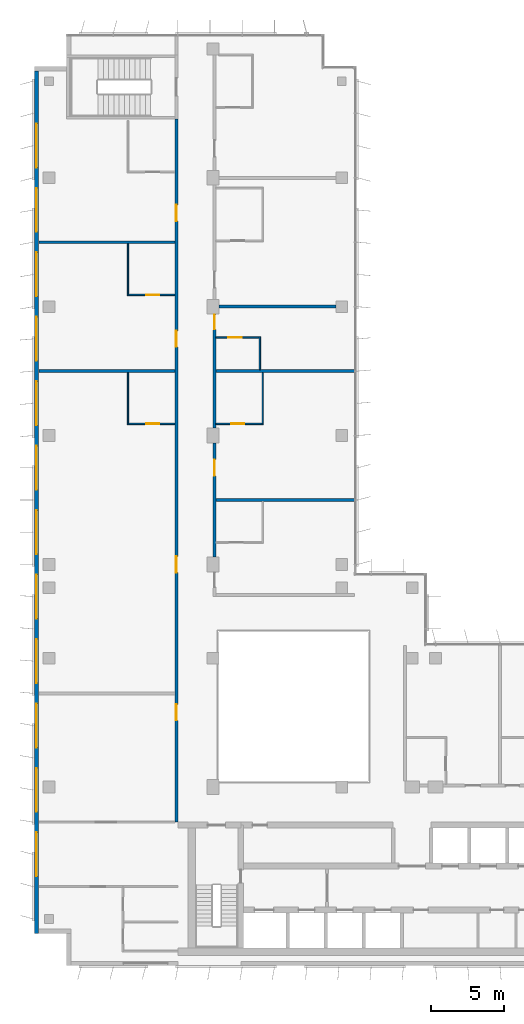
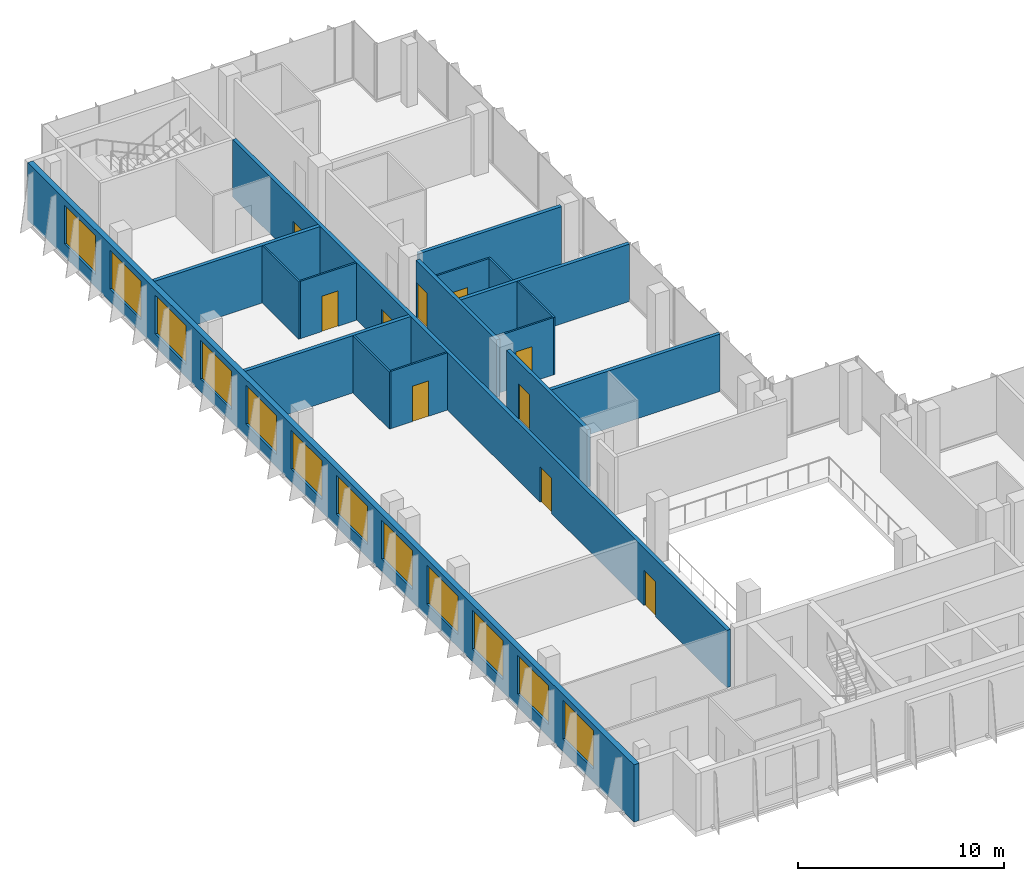
# One storey, part 11 of 15: 17 walls, 12 windows, 10 doors, 22 openings.
"""IFC4 building model written with IfcOpenShell, lengths in metres."""

from ifc_helpers import new_model, si_unit, direction, frame, frame_2d, origin, place, context, subcontext, project, spatial, rectangle, extrude, material, layer, layer_set, type_object, element, fill, save


model = new_model("IFC4")

# Units and contexts
model_context = context("Model", 3, precision=1e-05, world=origin(), true_north=direction((0.0, 1.0)))
body_context = subcontext(model_context, "Body", "Model", "MODEL_VIEW")
ifc_project = project(units=[si_unit("LENGTHUNIT", "METRE"), si_unit("AREAUNIT", "SQUARE_METRE"), si_unit("VOLUMEUNIT", "CUBIC_METRE"), si_unit("PLANEANGLEUNIT", "RADIAN"), si_unit("MASSUNIT", "GRAM", prefix="KILO")], contexts=[model_context])

# Site, building, storey
site_placement = place(None, origin())
site = spatial("IfcSite", under=ifc_project, at=site_placement, CompositionType="ELEMENT")
building_placement = place(site_placement, origin())
building = spatial("IfcBuilding", under=site, at=building_placement, Name="Kemantara Hotel Tower", CompositionType="ELEMENT")
storey_placement = place(building_placement, frame((0.0, 0.0, 298.10009765625)))
storey = spatial("IfcBuildingStorey", under=building, at=storey_placement, Name="L75", CompositionType="ELEMENT", Elevation=298.10009765625)

# Wall, openings, windows
ifc_material_1 = material(Name="Bronze anodised aluminium cladding on insulated steel stud wall", Category="steel")
ifc_layer_1 = layer(ifc_material_1, 0.300048828125)
ifc_layer_set_1 = layer_set([ifc_layer_1], Name="Bronze anodised aluminium cladding on insulated steel stud wall")
wall_type_1 = type_object("IfcWallType", Name="BRONZE METAL-CLAD EXTERNAL WALL 300", PredefinedType="STANDARD", material=ifc_layer_set_1)
wall_1_placement = place(storey_placement, frame((0.14990234375, 61.10009765625, 0.0), z_axis=(0.0, 0.0, 1.0), x_axis=(0.0, -1.0, 0.0)))
wall_1 = element("IfcWall", 1, at=wall_1_placement, inside=storey, type_object=wall_type_1, Name="EXTERNAL WALL L75 T4-R05", PredefinedType="STANDARD", context=body_context, shape_type="SweptSolid", body=[
    extrude(rectangle(XDim=58.900146484375, YDim=0.300048828125, at=frame_2d((29.4501953125, 0.0))), origin(), (0.0, 0.0, 1.0), 3.39990234375),
])
opening_1_placement = place(wall_1_placement, frame((3.60009765625, 0.0, 0.75)))
opening_1 = element("IfcOpeningElement", 2, at=opening_1_placement, cuts=wall_1, Name="Opening W1", PredefinedType="OPENING", context=body_context, shape_type="SweptSolid", body=[
    extrude(rectangle(XDim=3.0, YDim=2.300048828125, at=frame_2d((1.5, 1.14990234375))), frame((0.0, 0.159912109375, 0.0), z_axis=(0.0, -1.0, 0.0), x_axis=(1.0, 0.0, 0.0)), (0.0, 0.0, 1.0), 0.320068359375),
])
opening_2_placement = place(wall_1_placement, frame((8.0, 0.0, 0.75)))
opening_2 = element("IfcOpeningElement", 3, at=opening_2_placement, cuts=wall_1, Name="Opening W1", PredefinedType="OPENING", context=body_context, shape_type="SweptSolid", body=[
    extrude(rectangle(XDim=3.0, YDim=2.300048828125, at=frame_2d((1.5, 1.14990234375))), frame((0.0, 0.159912109375, 0.0), z_axis=(0.0, -1.0, 0.0), x_axis=(1.0, 0.0, 0.0)), (0.0, 0.0, 1.0), 0.320068359375),
])
opening_3_placement = place(wall_1_placement, frame((12.39990234375, 0.0, 0.75)))
opening_3 = element("IfcOpeningElement", 4, at=opening_3_placement, cuts=wall_1, Name="Opening W1", PredefinedType="OPENING", context=body_context, shape_type="SweptSolid", body=[
    extrude(rectangle(XDim=3.0, YDim=2.300048828125, at=frame_2d((1.5, 1.14990234375))), frame((0.0, 0.159912109375, 0.0), z_axis=(0.0, -1.0, 0.0), x_axis=(1.0, 0.0, 0.0)), (0.0, 0.0, 1.0), 0.320068359375),
])
opening_4_placement = place(wall_1_placement, frame((16.800048828125, 0.0, 0.75)))
opening_4 = element("IfcOpeningElement", 5, at=opening_4_placement, cuts=wall_1, Name="Opening W1", PredefinedType="OPENING", context=body_context, shape_type="SweptSolid", body=[
    extrude(rectangle(XDim=3.0, YDim=2.300048828125, at=frame_2d((1.5, 1.14990234375))), frame((0.0, 0.159912109375, 0.0), z_axis=(0.0, -1.0, 0.0), x_axis=(1.0, 0.0, 0.0)), (0.0, 0.0, 1.0), 0.320068359375),
])
opening_5_placement = place(wall_1_placement, frame((21.199951171875, 0.0, 0.75)))
opening_5 = element("IfcOpeningElement", 6, at=opening_5_placement, cuts=wall_1, Name="Opening W1", PredefinedType="OPENING", context=body_context, shape_type="SweptSolid", body=[
    extrude(rectangle(XDim=3.0, YDim=2.300048828125, at=frame_2d((1.5, 1.14990234375))), frame((0.0, 0.159912109375, 0.0), z_axis=(0.0, -1.0, 0.0), x_axis=(1.0, 0.0, 0.0)), (0.0, 0.0, 1.0), 0.320068359375),
])
opening_6_placement = place(wall_1_placement, frame((25.60009765625, 0.0, 0.75)))
opening_6 = element("IfcOpeningElement", 7, at=opening_6_placement, cuts=wall_1, Name="Opening W1", PredefinedType="OPENING", context=body_context, shape_type="SweptSolid", body=[
    extrude(rectangle(XDim=3.0, YDim=2.300048828125, at=frame_2d((1.5, 1.14990234375))), frame((0.0, 0.159912109375, 0.0), z_axis=(0.0, -1.0, 0.0), x_axis=(1.0, 0.0, 0.0)), (0.0, 0.0, 1.0), 0.320068359375),
])
opening_7_placement = place(wall_1_placement, frame((30.0, 0.0, 0.75)))
opening_7 = element("IfcOpeningElement", 8, at=opening_7_placement, cuts=wall_1, Name="Opening W1", PredefinedType="OPENING", context=body_context, shape_type="SweptSolid", body=[
    extrude(rectangle(XDim=3.0, YDim=2.300048828125, at=frame_2d((1.5, 1.14990234375))), frame((0.0, 0.159912109375, 0.0), z_axis=(0.0, -1.0, 0.0), x_axis=(1.0, 0.0, 0.0)), (0.0, 0.0, 1.0), 0.320068359375),
])
opening_8_placement = place(wall_1_placement, frame((34.39990234375, 0.0, 0.75)))
opening_8 = element("IfcOpeningElement", 9, at=opening_8_placement, cuts=wall_1, Name="Opening W1", PredefinedType="OPENING", context=body_context, shape_type="SweptSolid", body=[
    extrude(rectangle(XDim=3.0, YDim=2.300048828125, at=frame_2d((1.5, 1.14990234375))), frame((0.0, 0.159912109375, 0.0), z_axis=(0.0, -1.0, 0.0), x_axis=(1.0, 0.0, 0.0)), (0.0, 0.0, 1.0), 0.320068359375),
])
opening_9_placement = place(wall_1_placement, frame((38.800048828125, 0.0, 0.75)))
opening_9 = element("IfcOpeningElement", 10, at=opening_9_placement, cuts=wall_1, Name="Opening W1", PredefinedType="OPENING", context=body_context, shape_type="SweptSolid", body=[
    extrude(rectangle(XDim=3.0, YDim=2.300048828125, at=frame_2d((1.5, 1.14990234375))), frame((0.0, 0.159912109375, 0.0), z_axis=(0.0, -1.0, 0.0), x_axis=(1.0, 0.0, 0.0)), (0.0, 0.0, 1.0), 0.320068359375),
])
opening_10_placement = place(wall_1_placement, frame((43.199951171875, 0.0, 0.75)))
opening_10 = element("IfcOpeningElement", 11, at=opening_10_placement, cuts=wall_1, Name="Opening W1", PredefinedType="OPENING", context=body_context, shape_type="SweptSolid", body=[
    extrude(rectangle(XDim=3.0, YDim=2.300048828125, at=frame_2d((1.5, 1.14990234375))), frame((0.0, 0.159912109375, 0.0), z_axis=(0.0, -1.0, 0.0), x_axis=(1.0, 0.0, 0.0)), (0.0, 0.0, 1.0), 0.320068359375),
])
opening_11_placement = place(wall_1_placement, frame((47.60009765625, 0.0, 0.75)))
opening_11 = element("IfcOpeningElement", 12, at=opening_11_placement, cuts=wall_1, Name="Opening W1", PredefinedType="OPENING", context=body_context, shape_type="SweptSolid", body=[
    extrude(rectangle(XDim=3.0, YDim=2.300048828125, at=frame_2d((1.5, 1.14990234375))), frame((0.0, 0.159912109375, 0.0), z_axis=(0.0, -1.0, 0.0), x_axis=(1.0, 0.0, 0.0)), (0.0, 0.0, 1.0), 0.320068359375),
])
opening_12_placement = place(wall_1_placement, frame((52.0, 0.0, 0.75)))
opening_12 = element("IfcOpeningElement", 13, at=opening_12_placement, cuts=wall_1, Name="Opening W1", PredefinedType="OPENING", context=body_context, shape_type="SweptSolid", body=[
    extrude(rectangle(XDim=3.0, YDim=2.300048828125, at=frame_2d((1.5, 1.14990234375))), frame((0.0, 0.159912109375, 0.0), z_axis=(0.0, -1.0, 0.0), x_axis=(1.0, 0.0, 0.0)), (0.0, 0.0, 1.0), 0.320068359375),
])
ifc_material_2 = material(Name="Low-E tinted double insulated glass in bronze anodised aluminium frame", Category="aluminium")
window_type = type_object("IfcWindowType", Name="CHICAGO WINDOW, TRIPLE PANEL 3000x2300", PartitioningType="TRIPLE_PANEL_VERTICAL", PredefinedType="WINDOW", material=ifc_material_2)
window_1_placement = place(opening_1_placement, origin())
window_1 = element("IfcWindow", 14, at=window_1_placement, inside=storey, type_object=window_type, Name="CHICAGO WINDOW L75 T4-R05-54", OverallHeight=2.300048828125, OverallWidth=3.0, PartitioningType="SINGLE_PANEL", PredefinedType="WINDOW", context=body_context, shape_type="SweptSolid", body=[
    extrude(rectangle(XDim=3.0, YDim=2.300048828125, at=frame_2d((1.5, 1.14990234375))), frame((0.0, 0.030029296875, 0.0), z_axis=(0.0, -1.0, 0.0), x_axis=(1.0, 0.0, 0.0)), (0.0, 0.0, 1.0), 0.06005859375),
])
fill(opening_1, window_1)
window_2_placement = place(opening_2_placement, origin())
window_2 = element("IfcWindow", 15, at=window_2_placement, inside=storey, type_object=window_type, Name="CHICAGO WINDOW L75 T4-R05-98", OverallHeight=2.300048828125, OverallWidth=3.0, PartitioningType="SINGLE_PANEL", PredefinedType="WINDOW", context=body_context, shape_type="SweptSolid", body=[
    extrude(rectangle(XDim=3.0, YDim=2.300048828125, at=frame_2d((1.5, 1.14990234375))), frame((0.0, 0.030029296875, 0.0), z_axis=(0.0, -1.0, 0.0), x_axis=(1.0, 0.0, 0.0)), (0.0, 0.0, 1.0), 0.06005859375),
])
fill(opening_2, window_2)
window_3_placement = place(opening_3_placement, origin())
window_3 = element("IfcWindow", 16, at=window_3_placement, inside=storey, type_object=window_type, Name="CHICAGO WINDOW L75 T4-R05-142", OverallHeight=2.300048828125, OverallWidth=3.0, PartitioningType="SINGLE_PANEL", PredefinedType="WINDOW", context=body_context, shape_type="SweptSolid", body=[
    extrude(rectangle(XDim=3.0, YDim=2.300048828125, at=frame_2d((1.5, 1.14990234375))), frame((0.0, 0.030029296875, 0.0), z_axis=(0.0, -1.0, 0.0), x_axis=(1.0, 0.0, 0.0)), (0.0, 0.0, 1.0), 0.06005859375),
])
fill(opening_3, window_3)
window_4_placement = place(opening_4_placement, origin())
window_4 = element("IfcWindow", 17, at=window_4_placement, inside=storey, type_object=window_type, Name="CHICAGO WINDOW L75 T4-R05-186", OverallHeight=2.300048828125, OverallWidth=3.0, PartitioningType="SINGLE_PANEL", PredefinedType="WINDOW", context=body_context, shape_type="SweptSolid", body=[
    extrude(rectangle(XDim=3.0, YDim=2.300048828125, at=frame_2d((1.5, 1.14990234375))), frame((0.0, 0.030029296875, 0.0), z_axis=(0.0, -1.0, 0.0), x_axis=(1.0, 0.0, 0.0)), (0.0, 0.0, 1.0), 0.06005859375),
])
fill(opening_4, window_4)
window_5_placement = place(opening_5_placement, origin())
window_5 = element("IfcWindow", 18, at=window_5_placement, inside=storey, type_object=window_type, Name="CHICAGO WINDOW L75 T4-R05-230", OverallHeight=2.300048828125, OverallWidth=3.0, PartitioningType="SINGLE_PANEL", PredefinedType="WINDOW", context=body_context, shape_type="SweptSolid", body=[
    extrude(rectangle(XDim=3.0, YDim=2.300048828125, at=frame_2d((1.5, 1.14990234375))), frame((0.0, 0.030029296875, 0.0), z_axis=(0.0, -1.0, 0.0), x_axis=(1.0, 0.0, 0.0)), (0.0, 0.0, 1.0), 0.06005859375),
])
fill(opening_5, window_5)
window_6_placement = place(opening_6_placement, origin())
window_6 = element("IfcWindow", 19, at=window_6_placement, inside=storey, type_object=window_type, Name="CHICAGO WINDOW L75 T4-R05-274", OverallHeight=2.300048828125, OverallWidth=3.0, PartitioningType="SINGLE_PANEL", PredefinedType="WINDOW", context=body_context, shape_type="SweptSolid", body=[
    extrude(rectangle(XDim=3.0, YDim=2.300048828125, at=frame_2d((1.5, 1.14990234375))), frame((0.0, 0.030029296875, 0.0), z_axis=(0.0, -1.0, 0.0), x_axis=(1.0, 0.0, 0.0)), (0.0, 0.0, 1.0), 0.06005859375),
])
fill(opening_6, window_6)
window_7_placement = place(opening_7_placement, origin())
window_7 = element("IfcWindow", 20, at=window_7_placement, inside=storey, type_object=window_type, Name="CHICAGO WINDOW L75 T4-R05-318", OverallHeight=2.300048828125, OverallWidth=3.0, PartitioningType="SINGLE_PANEL", PredefinedType="WINDOW", context=body_context, shape_type="SweptSolid", body=[
    extrude(rectangle(XDim=3.0, YDim=2.300048828125, at=frame_2d((1.5, 1.14990234375))), frame((0.0, 0.030029296875, 0.0), z_axis=(0.0, -1.0, 0.0), x_axis=(1.0, 0.0, 0.0)), (0.0, 0.0, 1.0), 0.06005859375),
])
fill(opening_7, window_7)
window_8_placement = place(opening_8_placement, origin())
window_8 = element("IfcWindow", 21, at=window_8_placement, inside=storey, type_object=window_type, Name="CHICAGO WINDOW L75 T4-R05-362", OverallHeight=2.300048828125, OverallWidth=3.0, PartitioningType="SINGLE_PANEL", PredefinedType="WINDOW", context=body_context, shape_type="SweptSolid", body=[
    extrude(rectangle(XDim=3.0, YDim=2.300048828125, at=frame_2d((1.5, 1.14990234375))), frame((0.0, 0.030029296875, 0.0), z_axis=(0.0, -1.0, 0.0), x_axis=(1.0, 0.0, 0.0)), (0.0, 0.0, 1.0), 0.06005859375),
])
fill(opening_8, window_8)
window_9_placement = place(opening_9_placement, origin())
window_9 = element("IfcWindow", 22, at=window_9_placement, inside=storey, type_object=window_type, Name="CHICAGO WINDOW L75 T4-R05-406", OverallHeight=2.300048828125, OverallWidth=3.0, PartitioningType="SINGLE_PANEL", PredefinedType="WINDOW", context=body_context, shape_type="SweptSolid", body=[
    extrude(rectangle(XDim=3.0, YDim=2.300048828125, at=frame_2d((1.5, 1.14990234375))), frame((0.0, 0.030029296875, 0.0), z_axis=(0.0, -1.0, 0.0), x_axis=(1.0, 0.0, 0.0)), (0.0, 0.0, 1.0), 0.06005859375),
])
fill(opening_9, window_9)
window_10_placement = place(opening_10_placement, origin())
window_10 = element("IfcWindow", 23, at=window_10_placement, inside=storey, type_object=window_type, Name="CHICAGO WINDOW L75 T4-R05-450", OverallHeight=2.300048828125, OverallWidth=3.0, PartitioningType="SINGLE_PANEL", PredefinedType="WINDOW", context=body_context, shape_type="SweptSolid", body=[
    extrude(rectangle(XDim=3.0, YDim=2.300048828125, at=frame_2d((1.5, 1.14990234375))), frame((0.0, 0.030029296875, 0.0), z_axis=(0.0, -1.0, 0.0), x_axis=(1.0, 0.0, 0.0)), (0.0, 0.0, 1.0), 0.06005859375),
])
fill(opening_10, window_10)
window_11_placement = place(opening_11_placement, origin())
window_11 = element("IfcWindow", 24, at=window_11_placement, inside=storey, type_object=window_type, Name="CHICAGO WINDOW L75 T4-R05-494", OverallHeight=2.300048828125, OverallWidth=3.0, PartitioningType="SINGLE_PANEL", PredefinedType="WINDOW", context=body_context, shape_type="SweptSolid", body=[
    extrude(rectangle(XDim=3.0, YDim=2.300048828125, at=frame_2d((1.5, 1.14990234375))), frame((0.0, 0.030029296875, 0.0), z_axis=(0.0, -1.0, 0.0), x_axis=(1.0, 0.0, 0.0)), (0.0, 0.0, 1.0), 0.06005859375),
])
fill(opening_11, window_11)
window_12_placement = place(opening_12_placement, origin())
window_12 = element("IfcWindow", 25, at=window_12_placement, inside=storey, type_object=window_type, Name="CHICAGO WINDOW L75 T4-R05-538", OverallHeight=2.300048828125, OverallWidth=3.0, PartitioningType="SINGLE_PANEL", PredefinedType="WINDOW", context=body_context, shape_type="SweptSolid", body=[
    extrude(rectangle(XDim=3.0, YDim=2.300048828125, at=frame_2d((1.5, 1.14990234375))), frame((0.0, 0.030029296875, 0.0), z_axis=(0.0, -1.0, 0.0), x_axis=(1.0, 0.0, 0.0)), (0.0, 0.0, 1.0), 0.06005859375),
])
fill(opening_12, window_12)

# Wall, openings, doors
ifc_material_3 = material(Name="Gypsum board partition, steel studs and mineral wool, 200 mm", Category="steel")
ifc_layer_2 = layer(ifc_material_3, 0.199951171875)
ifc_layer_set_2 = layer_set([ifc_layer_2], Name="Gypsum board partition, steel studs and mineral wool, 200 mm")
wall_type_2 = type_object("IfcWallType", Name="CORRIDOR WALL 200", PredefinedType="PARTITIONING", material=ifc_layer_set_2)
wall_2_placement = place(storey_placement, frame((9.699951171875, 9.800048828125, 0.0), z_axis=(0.0, 0.0, 1.0), x_axis=(0.0, 1.0, 0.0)))
wall_2 = element("IfcWall", 26, at=wall_2_placement, inside=storey, type_object=wall_type_2, Name="CORRIDOR WALL 200 008", PredefinedType="PARTITIONING", context=body_context, shape_type="SweptSolid", body=[
    extrude(rectangle(XDim=48.0, YDim=0.199951171875, at=frame_2d((24.0, 0.0))), origin(), (0.0, 0.0, 1.0), 3.39990234375),
])
opening_13_placement = place(wall_2_placement, frame((6.949951171875, 0.0, 0.0)))
opening_13 = element("IfcOpeningElement", 27, at=opening_13_placement, cuts=wall_2, Name="Opening F37-009", PredefinedType="OPENING", context=body_context, shape_type="SweptSolid", body=[
    extrude(rectangle(XDim=1.10009765625, YDim=2.10009765625, at=frame_2d((0.550048828125, 1.050048828125))), frame((0.0, 0.10986328125, 0.0), z_axis=(0.0, -1.0, 0.0), x_axis=(1.0, 0.0, 0.0)), (0.0, 0.0, 1.0), 0.219970703125),
])
opening_14_placement = place(wall_2_placement, frame((17.050048828125, 0.0, 0.0)))
opening_14 = element("IfcOpeningElement", 28, at=opening_14_placement, cuts=wall_2, Name="Opening F37-014", PredefinedType="OPENING", context=body_context, shape_type="SweptSolid", body=[
    extrude(rectangle(XDim=1.10009765625, YDim=2.10009765625, at=frame_2d((0.550048828125, 1.050048828125))), frame((0.0, 0.10986328125, 0.0), z_axis=(0.0, -1.0, 0.0), x_axis=(1.0, 0.0, 0.0)), (0.0, 0.0, 1.0), 0.219970703125),
])
opening_15_placement = place(wall_2_placement, frame((32.449951171875, 0.0, 0.0)))
opening_15 = element("IfcOpeningElement", 29, at=opening_15_placement, cuts=wall_2, Name="Opening F37-016", PredefinedType="OPENING", context=body_context, shape_type="SweptSolid", body=[
    extrude(rectangle(XDim=1.10009765625, YDim=2.10009765625, at=frame_2d((0.550048828125, 1.050048828125))), frame((0.0, 0.10986328125, 0.0), z_axis=(0.0, -1.0, 0.0), x_axis=(1.0, 0.0, 0.0)), (0.0, 0.0, 1.0), 0.219970703125),
])
opening_16_placement = place(wall_2_placement, frame((41.050048828125, 0.0, 0.0)))
opening_16 = element("IfcOpeningElement", 30, at=opening_16_placement, cuts=wall_2, Name="Opening F37-018", PredefinedType="OPENING", context=body_context, shape_type="SweptSolid", body=[
    extrude(rectangle(XDim=1.10009765625, YDim=2.10009765625, at=frame_2d((0.550048828125, 1.050048828125))), frame((0.0, 0.10986328125, 0.0), z_axis=(0.0, -1.0, 0.0), x_axis=(1.0, 0.0, 0.0)), (0.0, 0.0, 1.0), 0.219970703125),
])
ifc_material_4 = material(Name="Hardwood veneer door leaf with steel frame", Category="steel")
door_type_1 = type_object("IfcDoorType", Name="SUITE ENTRANCE DOOR 1100 X 2100 FD30S", OperationType="NOTDEFINED", PredefinedType="DOOR", material=ifc_material_4)
door_1_placement = place(opening_13_placement, origin())
door_1 = element("IfcDoor", 31, at=door_1_placement, inside=storey, type_object=door_type_1, Name="SUITE ENTRANCE DOOR F37-009", OperationType="SINGLE_SWING_RIGHT", OverallHeight=2.10009765625, OverallWidth=1.10009765625, PredefinedType="DOOR", context=body_context, shape_type="SweptSolid", body=[
    extrude(rectangle(XDim=1.10009765625, YDim=2.10009765625, at=frame_2d((0.550048828125, 1.050048828125))), frame((0.0, 0.02490234375, 0.0), z_axis=(0.0, -1.0, 0.0), x_axis=(1.0, 0.0, 0.0)), (0.0, 0.0, 1.0), 0.050048828125),
])
fill(opening_13, door_1)
door_2_placement = place(opening_14_placement, origin())
door_2 = element("IfcDoor", 32, at=door_2_placement, inside=storey, type_object=door_type_1, Name="SUITE ENTRANCE DOOR F37-014", OperationType="SINGLE_SWING_LEFT", OverallHeight=2.10009765625, OverallWidth=1.10009765625, PredefinedType="DOOR", context=body_context, shape_type="SweptSolid", body=[
    extrude(rectangle(XDim=1.10009765625, YDim=2.10009765625, at=frame_2d((0.550048828125, 1.050048828125))), frame((0.0, 0.02490234375, 0.0), z_axis=(0.0, -1.0, 0.0), x_axis=(1.0, 0.0, 0.0)), (0.0, 0.0, 1.0), 0.050048828125),
])
fill(opening_14, door_2)
door_3_placement = place(opening_15_placement, origin())
door_3 = element("IfcDoor", 33, at=door_3_placement, inside=storey, type_object=door_type_1, Name="SUITE ENTRANCE DOOR F37-016", OperationType="SINGLE_SWING_LEFT", OverallHeight=2.10009765625, OverallWidth=1.10009765625, PredefinedType="DOOR", context=body_context, shape_type="SweptSolid", body=[
    extrude(rectangle(XDim=1.10009765625, YDim=2.10009765625, at=frame_2d((0.550048828125, 1.050048828125))), frame((0.0, 0.02490234375, 0.0), z_axis=(0.0, -1.0, 0.0), x_axis=(1.0, 0.0, 0.0)), (0.0, 0.0, 1.0), 0.050048828125),
])
fill(opening_15, door_3)
door_4_placement = place(opening_16_placement, origin())
door_4 = element("IfcDoor", 34, at=door_4_placement, inside=storey, type_object=door_type_1, Name="SUITE ENTRANCE DOOR F37-018", OperationType="SINGLE_SWING_LEFT", OverallHeight=2.10009765625, OverallWidth=1.10009765625, PredefinedType="DOOR", context=body_context, shape_type="SweptSolid", body=[
    extrude(rectangle(XDim=1.10009765625, YDim=2.10009765625, at=frame_2d((0.550048828125, 1.050048828125))), frame((0.0, 0.02490234375, 0.0), z_axis=(0.0, -1.0, 0.0), x_axis=(1.0, 0.0, 0.0)), (0.0, 0.0, 1.0), 0.050048828125),
])
fill(opening_16, door_4)

# Wall, opening, door
wall_3_placement = place(storey_placement, frame((12.300048828125, 35.699951171875, 0.0), z_axis=(0.0, 0.0, 1.0), x_axis=(0.0, -1.0, 0.0)))
wall_3 = element("IfcWall", 35, at=wall_3_placement, inside=storey, type_object=wall_type_2, Name="CORRIDOR WALL 200 015", PredefinedType="PARTITIONING", context=body_context, shape_type="SweptSolid", body=[
    extrude(rectangle(XDim=7.7998046875, YDim=0.199951171875, at=frame_2d((3.89990234375, 0.0))), origin(), (0.0, 0.0, 1.0), 3.39990234375),
])
opening_17_placement = place(wall_3_placement, frame((1.14990234375, 0.0, 0.0)))
opening_17 = element("IfcOpeningElement", 36, at=opening_17_placement, cuts=wall_3, Name="Opening F37-022", PredefinedType="OPENING", context=body_context, shape_type="SweptSolid", body=[
    extrude(rectangle(XDim=1.10009765625, YDim=2.10009765625, at=frame_2d((0.550048828125, 1.050048828125))), frame((0.0, 0.10986328125, 0.0), z_axis=(0.0, -1.0, 0.0), x_axis=(1.0, 0.0, 0.0)), (0.0, 0.0, 1.0), 0.219970703125),
])
door_5_placement = place(opening_17_placement, origin())
door_5 = element("IfcDoor", 37, at=door_5_placement, inside=storey, type_object=door_type_1, Name="SUITE ENTRANCE DOOR F37-022", OperationType="SINGLE_SWING_RIGHT", OverallHeight=2.10009765625, OverallWidth=1.10009765625, PredefinedType="DOOR", context=body_context, shape_type="SweptSolid", body=[
    extrude(rectangle(XDim=1.10009765625, YDim=2.10009765625, at=frame_2d((0.550048828125, 1.050048828125))), frame((0.0, 0.02490234375, 0.0), z_axis=(0.0, -1.0, 0.0), x_axis=(1.0, 0.0, 0.0)), (0.0, 0.0, 1.0), 0.050048828125),
])
fill(opening_17, door_5)

wall_4_placement = place(storey_placement, frame((12.300048828125, 44.5, 0.0), z_axis=(0.0, 0.0, 1.0), x_axis=(0.0, -1.0, 0.0)))
wall_4 = element("IfcWall", 38, at=wall_4_placement, inside=storey, type_object=wall_type_2, Name="CORRIDOR WALL 200 016", PredefinedType="PARTITIONING", context=body_context, shape_type="SweptSolid", body=[
    extrude(rectangle(XDim=7.7998046875, YDim=0.199951171875, at=frame_2d((3.89990234375, 0.0))), origin(), (0.0, 0.0, 1.0), 3.39990234375),
])
opening_18_placement = place(wall_4_placement, frame((0.0498046875, 0.0, 0.0)))
opening_18 = element("IfcOpeningElement", 39, at=opening_18_placement, cuts=wall_4, Name="Opening F37-024", PredefinedType="OPENING", context=body_context, shape_type="SweptSolid", body=[
    extrude(rectangle(XDim=1.0, YDim=2.10009765625, at=frame_2d((0.5, 1.050048828125))), frame((0.0, 0.10986328125, 0.0), z_axis=(0.0, -1.0, 0.0), x_axis=(1.0, 0.0, 0.0)), (0.0, 0.0, 1.0), 0.219970703125),
])
door_type_2 = type_object("IfcDoorType", Name="GUEST ROOM DOOR 1000 X 2100 FD30S", OperationType="NOTDEFINED", PredefinedType="DOOR", material=ifc_material_4)
door_6_placement = place(opening_18_placement, origin())
door_6 = element("IfcDoor", 40, at=door_6_placement, inside=storey, type_object=door_type_2, Name="GUEST ROOM DOOR F37-024", OperationType="SINGLE_SWING_LEFT", OverallHeight=2.10009765625, OverallWidth=1.0, PredefinedType="DOOR", context=body_context, shape_type="SweptSolid", body=[
    extrude(rectangle(XDim=1.0, YDim=2.10009765625, at=frame_2d((0.5, 1.050048828125))), frame((0.0, 0.02490234375, 0.0), z_axis=(0.0, -1.0, 0.0), x_axis=(1.0, 0.0, 0.0)), (0.0, 0.0, 1.0), 0.050048828125),
])
fill(opening_18, door_6)

# Walls
ifc_layer_3 = layer(ifc_material_3, 0.199951171875)
ifc_layer_set_3 = layer_set([ifc_layer_3], Name="Gypsum board partition, steel studs and mineral wool, 200 mm")
wall_type_3 = type_object("IfcWallType", Name="GUEST ROOM PARTY WALL 200", PredefinedType="PARTITIONING", material=ifc_layer_set_3)
wall_5_placement = place(storey_placement, frame((0.31005859375, 40.60009765625, 0.0), z_axis=(0.0, 0.0, 1.0), x_axis=(1.0, 0.0, 0.0)))
element("IfcWall", 41, at=wall_5_placement, inside=storey, type_object=wall_type_3, Name="GUEST ROOM PARTY WALL 200 011", PredefinedType="PARTITIONING", context=body_context, shape_type="SweptSolid", body=[
    extrude(rectangle(XDim=9.2900390625, YDim=0.199951171875, at=frame_2d((4.64501953125, 0.0))), origin(), (0.0, 0.0, 1.0), 3.39990234375),
])
wall_6_placement = place(storey_placement, frame((12.39990234375, 40.60009765625, 0.0), z_axis=(0.0, 0.0, 1.0), x_axis=(1.0, 0.0, 0.0)))
element("IfcWall", 42, at=wall_6_placement, inside=storey, type_object=wall_type_3, Name="GUEST ROOM PARTY WALL 200 012", PredefinedType="PARTITIONING", context=body_context, shape_type="SweptSolid", body=[
    extrude(rectangle(XDim=9.47021484375, YDim=0.199951171875, at=frame_2d((4.735107421875, 0.0))), origin(), (0.0, 0.0, 1.0), 3.39990234375),
])
wall_7_placement = place(storey_placement, frame((0.31005859375, 49.39990234375, 0.0), z_axis=(0.0, 0.0, 1.0), x_axis=(1.0, 0.0, 0.0)))
element("IfcWall", 43, at=wall_7_placement, inside=storey, type_object=wall_type_3, Name="GUEST ROOM PARTY WALL 200 013", PredefinedType="PARTITIONING", context=body_context, shape_type="SweptSolid", body=[
    extrude(rectangle(XDim=9.2900390625, YDim=0.199951171875, at=frame_2d((4.64501953125, 0.0))), origin(), (0.0, 0.0, 1.0), 3.39990234375),
])
wall_8_placement = place(storey_placement, frame((12.39990234375, 31.800048828125, 0.0), z_axis=(0.0, 0.0, 1.0), x_axis=(1.0, 0.0, 0.0)))
element("IfcWall", 44, at=wall_8_placement, inside=storey, type_object=wall_type_3, Name="GUEST ROOM PARTY WALL 200 020", PredefinedType="PARTITIONING", context=body_context, shape_type="SweptSolid", body=[
    extrude(rectangle(XDim=9.47021484375, YDim=0.199951171875, at=frame_2d((4.735107421875, 0.0))), origin(), (0.0, 0.0, 1.0), 3.39990234375),
])
wall_9_placement = place(storey_placement, frame((12.60009765625, 45.0, 0.0), z_axis=(0.0, 0.0, 1.0), x_axis=(1.0, 0.0, 0.0)))
element("IfcWall", 45, at=wall_9_placement, inside=storey, type_object=wall_type_3, Name="GUEST ROOM PARTY WALL 200 021", PredefinedType="PARTITIONING", context=body_context, shape_type="SweptSolid", body=[
    extrude(rectangle(XDim=7.999755859375, YDim=0.199951171875, at=frame_2d((4.0, 0.0))), origin(), (0.0, 0.0, 1.0), 3.39990234375),
])
ifc_material_5 = material(Name="Gypsum board partition on steel studs, 100 mm", Category="steel")
ifc_layer_4 = layer(ifc_material_5, 0.10009765625)
ifc_layer_set_4 = layer_set([ifc_layer_4], Name="Gypsum board partition on steel studs, 100 mm")
wall_type_4 = type_object("IfcWallType", Name="ROOM PARTITION 100", PredefinedType="PARTITIONING", material=ifc_layer_set_4)
for number, where, z_axis, x_axis, name in (
    (46, (6.39990234375, 36.949951171875, 0.0), (0.0, 0.0, 1.0), (0.0, 1.0, 0.0), "ROOM PARTITION 100 036"),
    (47, (6.39990234375, 45.75, 0.0), (0.0, 0.0, 1.0), (0.0, 1.0, 0.0), "ROOM PARTITION 100 037"),
):
    element("IfcWall", number, at=place(storey_placement, frame(where, z_axis=z_axis, x_axis=x_axis)), inside=storey, type_object=wall_type_4, Name=name, PredefinedType="PARTITIONING", context=body_context, shape_type="SweptSolid", body=[
        extrude(rectangle(XDim=3.550048828125, YDim=0.10009765625, at=frame_2d((1.77490234375, 0.0))), origin(), (0.0, 0.0, 1.0), 3.39990234375),
    ])

# Wall, opening, door
wall_10_placement = place(storey_placement, frame((6.449951171875, 37.0, 0.0), z_axis=(0.0, 0.0, 1.0), x_axis=(1.0, 0.0, 0.0)))
wall_10 = element("IfcWall", 48, at=wall_10_placement, inside=storey, type_object=wall_type_4, Name="ROOM PARTITION 100 039", PredefinedType="PARTITIONING", context=body_context, shape_type="SweptSolid", body=[
    extrude(rectangle(XDim=3.150146484375, YDim=0.10009765625, at=frame_2d((1.5751953125, 0.0))), origin(), (0.0, 0.0, 1.0), 3.39990234375),
])
opening_19_placement = place(wall_10_placement, frame((1.199951171875, 0.0, 0.0)))
opening_19 = element("IfcOpeningElement", 49, at=opening_19_placement, cuts=wall_10, Name="Opening F37-015", PredefinedType="OPENING", context=body_context, shape_type="SweptSolid", body=[
    extrude(rectangle(XDim=0.89990234375, YDim=2.10009765625, at=frame_2d((0.449951171875, 1.050048828125))), frame((0.0, 0.06005859375, 0.0), z_axis=(0.0, -1.0, 0.0), x_axis=(1.0, 0.0, 0.0)), (0.0, 0.0, 1.0), 0.1201171875),
])
door_type_3 = type_object("IfcDoorType", Name="BATHROOM DOOR 900 X 2100", OperationType="NOTDEFINED", PredefinedType="DOOR", material=ifc_material_4)
door_7_placement = place(opening_19_placement, origin())
door_7 = element("IfcDoor", 50, at=door_7_placement, inside=storey, type_object=door_type_3, Name="BATHROOM DOOR F37-015", OperationType="SINGLE_SWING_RIGHT", OverallHeight=2.10009765625, OverallWidth=0.89990234375, PredefinedType="DOOR", context=body_context, shape_type="SweptSolid", body=[
    extrude(rectangle(XDim=0.89990234375, YDim=2.10009765625, at=frame_2d((0.449951171875, 1.050048828125))), frame((0.0, 0.02490234375, 0.0), z_axis=(0.0, -1.0, 0.0), x_axis=(1.0, 0.0, 0.0)), (0.0, 0.0, 1.0), 0.050048828125),
])
fill(opening_19, door_7)

wall_11_placement = place(storey_placement, frame((12.39990234375, 37.0, 0.0), z_axis=(0.0, 0.0, 1.0), x_axis=(1.0, 0.0, 0.0)))
wall_11 = element("IfcWall", 51, at=wall_11_placement, inside=storey, type_object=wall_type_4, Name="ROOM PARTITION 100 040", PredefinedType="PARTITIONING", context=body_context, shape_type="SweptSolid", body=[
    extrude(rectangle(XDim=3.150146484375, YDim=0.10009765625, at=frame_2d((1.5751953125, 0.0))), origin(), (0.0, 0.0, 1.0), 3.39990234375),
])
opening_20_placement = place(wall_11_placement, frame((1.050048828125, 0.0, 0.0)))
opening_20 = element("IfcOpeningElement", 52, at=opening_20_placement, cuts=wall_11, Name="Opening F37-023", PredefinedType="OPENING", context=body_context, shape_type="SweptSolid", body=[
    extrude(rectangle(XDim=0.89990234375, YDim=2.10009765625, at=frame_2d((0.449951171875, 1.050048828125))), frame((0.0, 0.06005859375, 0.0), z_axis=(0.0, -1.0, 0.0), x_axis=(1.0, 0.0, 0.0)), (0.0, 0.0, 1.0), 0.1201171875),
])
door_8_placement = place(opening_20_placement, origin())
door_8 = element("IfcDoor", 53, at=door_8_placement, inside=storey, type_object=door_type_3, Name="BATHROOM DOOR F37-023", OperationType="SINGLE_SWING_LEFT", OverallHeight=2.10009765625, OverallWidth=0.89990234375, PredefinedType="DOOR", context=body_context, shape_type="SweptSolid", body=[
    extrude(rectangle(XDim=0.89990234375, YDim=2.10009765625, at=frame_2d((0.449951171875, 1.050048828125))), frame((0.0, 0.02490234375, 0.0), z_axis=(0.0, -1.0, 0.0), x_axis=(1.0, 0.0, 0.0)), (0.0, 0.0, 1.0), 0.050048828125),
])
fill(opening_20, door_8)

wall_12_placement = place(storey_placement, frame((6.449951171875, 45.800048828125, 0.0), z_axis=(0.0, 0.0, 1.0), x_axis=(1.0, 0.0, 0.0)))
wall_12 = element("IfcWall", 54, at=wall_12_placement, inside=storey, type_object=wall_type_4, Name="ROOM PARTITION 100 041", PredefinedType="PARTITIONING", context=body_context, shape_type="SweptSolid", body=[
    extrude(rectangle(XDim=3.150146484375, YDim=0.10009765625, at=frame_2d((1.5751953125, 0.0))), origin(), (0.0, 0.0, 1.0), 3.39990234375),
])
opening_21_placement = place(wall_12_placement, frame((1.199951171875, 0.0, 0.0)))
opening_21 = element("IfcOpeningElement", 55, at=opening_21_placement, cuts=wall_12, Name="Opening F37-017", PredefinedType="OPENING", context=body_context, shape_type="SweptSolid", body=[
    extrude(rectangle(XDim=0.89990234375, YDim=2.10009765625, at=frame_2d((0.449951171875, 1.050048828125))), frame((0.0, 0.06005859375, 0.0), z_axis=(0.0, -1.0, 0.0), x_axis=(1.0, 0.0, 0.0)), (0.0, 0.0, 1.0), 0.1201171875),
])
door_9_placement = place(opening_21_placement, origin())
door_9 = element("IfcDoor", 56, at=door_9_placement, inside=storey, type_object=door_type_3, Name="BATHROOM DOOR F37-017", OperationType="SINGLE_SWING_RIGHT", OverallHeight=2.10009765625, OverallWidth=0.89990234375, PredefinedType="DOOR", context=body_context, shape_type="SweptSolid", body=[
    extrude(rectangle(XDim=0.89990234375, YDim=2.10009765625, at=frame_2d((0.449951171875, 1.050048828125))), frame((0.0, 0.02490234375, 0.0), z_axis=(0.0, -1.0, 0.0), x_axis=(1.0, 0.0, 0.0)), (0.0, 0.0, 1.0), 0.050048828125),
])
fill(opening_21, door_9)

# Walls
wall_13_placement = place(storey_placement, frame((15.60009765625, 36.949951171875, 0.0), z_axis=(0.0, 0.0, 1.0), x_axis=(0.0, 1.0, 0.0)))
element("IfcWall", 57, at=wall_13_placement, inside=storey, type_object=wall_type_4, Name="ROOM PARTITION 100 044", PredefinedType="PARTITIONING", context=body_context, shape_type="SweptSolid", body=[
    extrude(rectangle(XDim=3.550048828125, YDim=0.10009765625, at=frame_2d((1.77490234375, 0.0))), origin(), (0.0, 0.0, 1.0), 3.39990234375),
])
wall_14_placement = place(storey_placement, frame((15.39990234375, 40.699951171875, 0.0), z_axis=(0.0, 0.0, 1.0), x_axis=(0.0, 1.0, 0.0)))
element("IfcWall", 58, at=wall_14_placement, inside=storey, type_object=wall_type_4, Name="ROOM PARTITION 100 047", PredefinedType="PARTITIONING", context=body_context, shape_type="SweptSolid", body=[
    extrude(rectangle(XDim=2.25, YDim=0.10009765625, at=frame_2d((1.125, 0.0))), origin(), (0.0, 0.0, 1.0), 3.39990234375),
])

# Wall, opening, door
wall_15_placement = place(storey_placement, frame((15.35009765625, 42.89990234375, 0.0), z_axis=(0.0, 0.0, 1.0), x_axis=(-1.0, 0.0, 0.0)))
wall_15 = element("IfcWall", 59, at=wall_15_placement, inside=storey, type_object=wall_type_4, Name="ROOM PARTITION 100 048", PredefinedType="PARTITIONING", context=body_context, shape_type="SweptSolid", body=[
    extrude(rectangle(XDim=2.9501953125, YDim=0.10009765625, at=frame_2d((1.47509765625, 0.0))), origin(), (0.0, 0.0, 1.0), 3.39990234375),
])
opening_22_placement = place(wall_15_placement, frame((1.199951171875, 0.0, 0.0)))
opening_22 = element("IfcOpeningElement", 60, at=opening_22_placement, cuts=wall_15, Name="Opening F37-025", PredefinedType="OPENING", context=body_context, shape_type="SweptSolid", body=[
    extrude(rectangle(XDim=0.89990234375, YDim=2.10009765625, at=frame_2d((0.449951171875, 1.050048828125))), frame((0.0, 0.06005859375, 0.0), z_axis=(0.0, -1.0, 0.0), x_axis=(1.0, 0.0, 0.0)), (0.0, 0.0, 1.0), 0.1201171875),
])
door_10_placement = place(opening_22_placement, origin())
door_10 = element("IfcDoor", 61, at=door_10_placement, inside=storey, type_object=door_type_3, Name="BATHROOM DOOR F37-025", OperationType="SINGLE_SWING_RIGHT", OverallHeight=2.10009765625, OverallWidth=0.89990234375, PredefinedType="DOOR", context=body_context, shape_type="SweptSolid", body=[
    extrude(rectangle(XDim=0.89990234375, YDim=2.10009765625, at=frame_2d((0.449951171875, 1.050048828125))), frame((0.0, 0.02490234375, 0.0), z_axis=(0.0, -1.0, 0.0), x_axis=(1.0, 0.0, 0.0)), (0.0, 0.0, 1.0), 0.050048828125),
])
fill(opening_22, door_10)

save(model, "model.ifc")
